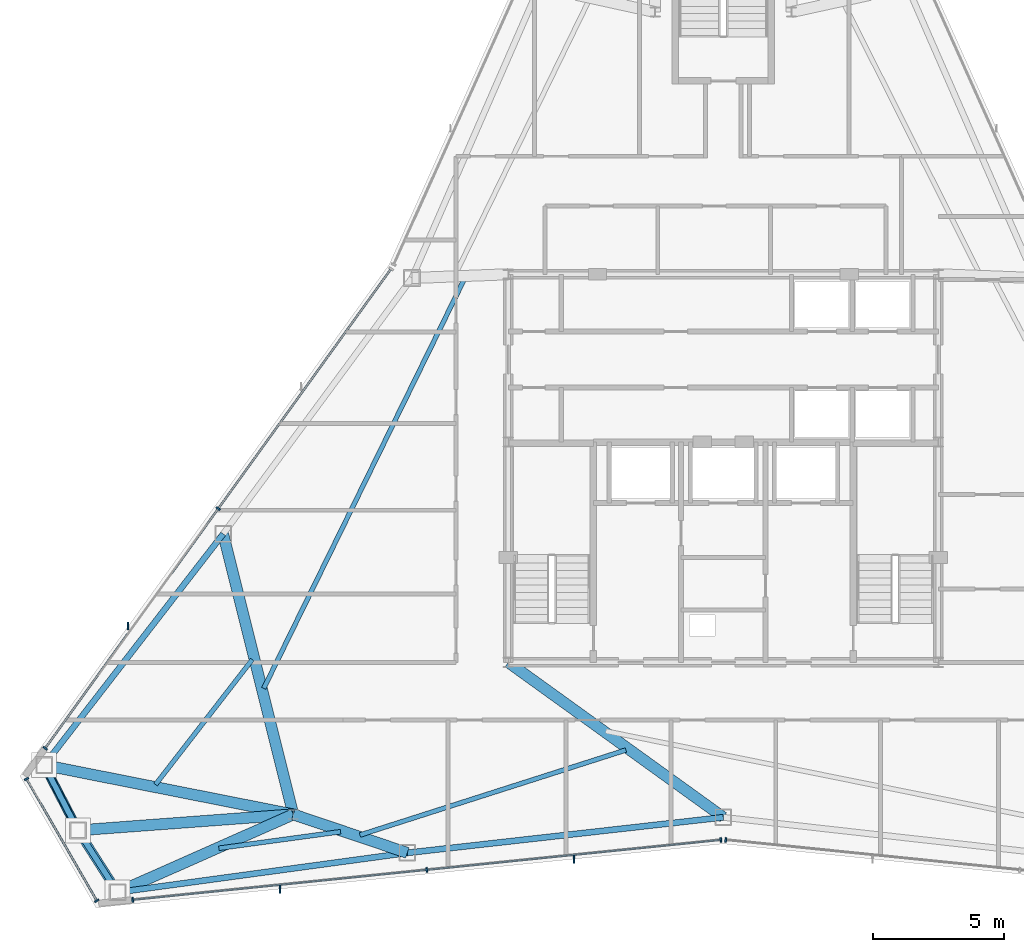
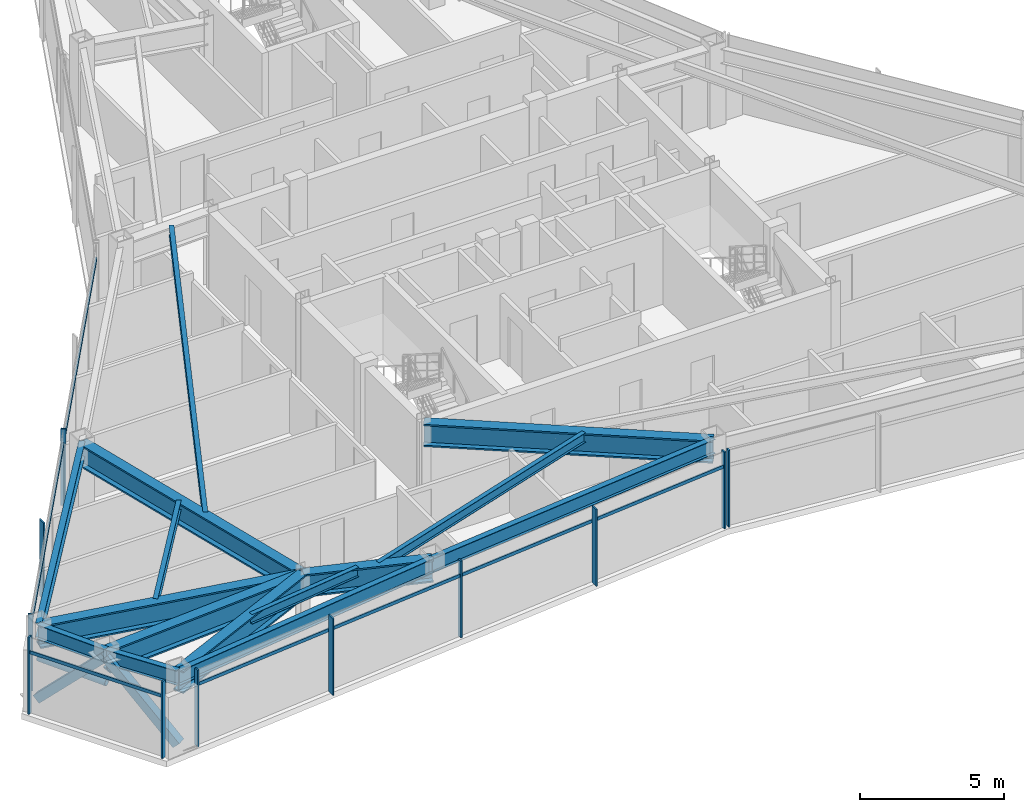
# One storey, part 3 of 12: 17 members, 15 beams, 4 elements without a shape of their own.
"""IFC4 building model written with IfcOpenShell, lengths in metres."""

from ifc_helpers import new_model, si_unit, direction, frame, origin, origin_2d, place, context, subcontext, project, spatial, rectangle, hollow_rectangle, hollow_circle, i_section, extrude, source, transform, mapped, material, layer, layer_set, material_profile, profile_set, type_object, type_shapes, element, aggregate, save


model = new_model("IFC4")

# Units and contexts
model_context = context("Model", 3, precision=1e-05, world=origin(), true_north=direction((0.0, 1.0)))
body_context = subcontext(model_context, "Body", "Model", "MODEL_VIEW")
ifc_project = project(units=[si_unit("LENGTHUNIT", "METRE"), si_unit("AREAUNIT", "SQUARE_METRE"), si_unit("VOLUMEUNIT", "CUBIC_METRE"), si_unit("PLANEANGLEUNIT", "RADIAN"), si_unit("MASSUNIT", "GRAM", prefix="KILO")], contexts=[model_context])

# Site, building, storey
site_placement = place(None, origin())
site = spatial("IfcSite", under=ifc_project, at=site_placement, CompositionType="ELEMENT")
building_placement = place(site_placement, origin())
building = spatial("IfcBuilding", under=site, at=building_placement, Name="Varakhsha Concourse Tower", CompositionType="ELEMENT")
storey_placement = place(building_placement, frame((0.0, 0.0, 255.0)))
storey = spatial("IfcBuildingStorey", under=building, at=storey_placement, Name="L72", CompositionType="ELEMENT", Elevation=255.0)

# Beams
ifc_material_1 = material(Name="Structural Steel ASTM A992 Grade 50", Category="steel")
ifc_material_profile_1 = material_profile(ifc_material_1, i_section(OverallWidth=0.177978515625, OverallDepth=0.406982421875, WebThickness=0.008056640625, FlangeThickness=0.012939453125, at=origin_2d()), Name="W16X40")
ifc_profile_set_1 = profile_set([ifc_material_profile_1], Name="Structural Steel ASTM A992 Grade 50")
beam_type_1 = type_object("IfcBeamType", Name="BM-JST-W16X40", PredefinedType="JOIST", material=ifc_profile_set_1)
beam_1_placement = place(storey_placement, frame((30.135009765625, 31.03759765625, 3.04638671875), z_axis=(-0.440148570634, -0.897924961101, 0.0), x_axis=(0.897924961101, -0.440148570634, 0.0)))
element("IfcBeam", 1, at=beam_1_placement, inside=storey, type_object=beam_type_1, Name="BM-TJST-L72-05", PredefinedType="JOIST", context=body_context, shape_type="SweptSolid", body=[
    extrude(i_section(OverallWidth=0.177978515625, OverallDepth=0.406982421875, WebThickness=0.008056640625, FlangeThickness=0.012939453125, at=origin_2d()), origin(), (0.0, 0.0, 1.0), 17.4091796875),
])
beam_2_placement = place(storey_placement, frame((22.035888671875, 16.50341796875, 3.04638671875), z_axis=(-0.612222230768, -0.790685740452, 0.0), x_axis=(0.790685740452, -0.612222230768, 0.0)))
element("IfcBeam", 2, at=beam_2_placement, inside=storey, type_object=beam_type_1, Name="BM-TJST-L72-06", PredefinedType="JOIST", context=body_context, shape_type="SweptSolid", body=[
    extrude(i_section(OverallWidth=0.177978515625, OverallDepth=0.406982421875, WebThickness=0.008056640625, FlangeThickness=0.012939453125, at=origin_2d()), origin(), (0.0, 0.0, 1.0), 6.024658203125),
])
beam_3_placement = place(storey_placement, frame((20.760986328125, 9.30810546875, 3.04638671875), z_axis=(0.990870382928, 0.134817967037, 0.0), x_axis=(-0.134817967037, 0.990870382928, 0.0)))
element("IfcBeam", 3, at=beam_3_placement, inside=storey, type_object=beam_type_1, Name="BM-TJST-L72-09", PredefinedType="JOIST", context=body_context, shape_type="SweptSolid", body=[
    extrude(i_section(OverallWidth=0.177978515625, OverallDepth=0.406982421875, WebThickness=0.008056640625, FlangeThickness=0.012939453125, at=origin_2d()), origin(), (0.0, 0.0, 1.0), 4.6865234375),
])
beam_4_placement = place(storey_placement, frame((26.140625, 9.8125, 3.04638671875), z_axis=(0.952511924863, 0.304501285701, 0.0), x_axis=(-0.304501285701, 0.952511924863, 0.0)))
element("IfcBeam", 4, at=beam_4_placement, inside=storey, type_object=beam_type_1, Name="BM-TJST-L72-10", PredefinedType="JOIST", context=body_context, shape_type="SweptSolid", body=[
    extrude(i_section(OverallWidth=0.177978515625, OverallDepth=0.406982421875, WebThickness=0.008056640625, FlangeThickness=0.012939453125, at=origin_2d()), origin(), (0.0, 0.0, 1.0), 10.65234375),
])
ifc_material_profile_2 = material_profile(ifc_material_1, i_section(OverallWidth=0.423095703125, OverallDepth=0.947998046875, WebThickness=0.0380859375, FlangeThickness=0.06396484375, at=origin_2d()), Name="W36X302")
ifc_profile_set_2 = profile_set([ifc_material_profile_2], Name="Structural Steel ASTM A992 Grade 50")
beam_type_2 = type_object("IfcBeamType", Name="BM-OUTR-W36X302", PredefinedType="USERDEFINED", material=ifc_profile_set_2)
beam_5_placement = place(storey_placement, frame((23.60009765625, 10.60009765625, 2.77587890625), z_axis=(-0.242410585861, 0.970173751378, 0.0), x_axis=(-0.970173751378, -0.242410585861, 0.0)))
element("IfcBeam", 5, at=beam_5_placement, inside=storey, type_object=beam_type_2, Name="L72 Radial Floor Girder 06", ObjectType="GIRDER", PredefinedType="USERDEFINED", context=body_context, shape_type="SweptSolid", body=[
    extrude(i_section(OverallWidth=0.423095703125, OverallDepth=0.947998046875, WebThickness=0.0380859375, FlangeThickness=0.06396484375, at=origin_2d()), origin(), (0.0, 0.0, 1.0), 11.026123046875),
])
beam_6_placement = place(storey_placement, frame((23.60009765625, 10.60009765625, 2.77587890625), z_axis=(-0.980978125566, 0.194118307125, 0.0), x_axis=(-0.194118307125, -0.980978125566, 0.0)))
element("IfcBeam", 6, at=beam_6_placement, inside=storey, type_object=beam_type_2, Name="L72 Radial Floor Girder 07", ObjectType="GIRDER", PredefinedType="USERDEFINED", context=body_context, shape_type="SweptSolid", body=[
    extrude(i_section(OverallWidth=0.423095703125, OverallDepth=0.947998046875, WebThickness=0.0380859375, FlangeThickness=0.06396484375, at=origin_2d()), origin(), (0.0, 0.0, 1.0), 9.684326171875),
])
beam_7_placement = place(storey_placement, frame((23.60009765625, 10.60009765625, 2.77587890625), z_axis=(-0.997263302263, -0.073931765569, 0.0), x_axis=(0.073931765569, -0.997263302263, 0.0)))
element("IfcBeam", 7, at=beam_7_placement, inside=storey, type_object=beam_type_2, Name="L72 Radial Floor Girder 08", ObjectType="GIRDER", PredefinedType="USERDEFINED", context=body_context, shape_type="SweptSolid", body=[
    extrude(i_section(OverallWidth=0.423095703125, OverallDepth=0.947998046875, WebThickness=0.0380859375, FlangeThickness=0.06396484375, at=origin_2d()), origin(), (0.0, 0.0, 1.0), 8.232421875),
])
beam_8_placement = place(storey_placement, frame((23.60009765625, 10.60009765625, 2.77587890625), z_axis=(-0.914187563748, -0.405291374556, 0.0), x_axis=(0.405291374556, -0.914187563748, 0.0)))
element("IfcBeam", 8, at=beam_8_placement, inside=storey, type_object=beam_type_2, Name="L72 Radial Floor Girder 09", ObjectType="GIRDER", PredefinedType="USERDEFINED", context=body_context, shape_type="SweptSolid", body=[
    extrude(i_section(OverallWidth=0.423095703125, OverallDepth=0.947998046875, WebThickness=0.0380859375, FlangeThickness=0.06396484375, at=origin_2d()), origin(), (0.0, 0.0, 1.0), 7.32861328125),
])
beam_9_placement = place(storey_placement, frame((23.60009765625, 10.60009765625, 2.77587890625), z_axis=(0.947603418082, -0.319449154075, 0.0), x_axis=(0.319449154075, 0.947603418082, 0.0)))
element("IfcBeam", 9, at=beam_9_placement, inside=storey, type_object=beam_type_2, Name="L72 Radial Floor Girder 10", ObjectType="GIRDER", PredefinedType="USERDEFINED", context=body_context, shape_type="SweptSolid", body=[
    extrude(i_section(OverallWidth=0.423095703125, OverallDepth=0.947998046875, WebThickness=0.0380859375, FlangeThickness=0.06396484375, at=origin_2d()), origin(), (0.0, 0.0, 1.0), 4.590087890625),
])
beam_10_placement = place(storey_placement, frame((31.800048828125, 16.39990234375, 2.77587890625), z_axis=(0.811197960411, -0.584771638356, 0.0), x_axis=(0.584771638356, 0.811197960411, 0.0)))
element("IfcBeam", 10, at=beam_10_placement, inside=storey, type_object=beam_type_2, Name="L72 Radial Floor Girder 11", ObjectType="GIRDER", PredefinedType="USERDEFINED", context=body_context, shape_type="SweptSolid", body=[
    extrude(i_section(OverallWidth=0.423095703125, OverallDepth=0.947998046875, WebThickness=0.0380859375, FlangeThickness=0.06396484375, at=origin_2d()), origin(), (0.0, 0.0, 1.0), 10.1083984375),
])
ifc_material_profile_3 = material_profile(ifc_material_1, i_section(OverallWidth=0.22900390625, OverallDepth=0.612060546875, WebThickness=0.011962890625, FlangeThickness=0.02001953125, at=origin_2d()), Name="W24X84")
ifc_profile_set_3 = profile_set([ifc_material_profile_3], Name="Structural Steel ASTM A992 Grade 50")
beam_type_3 = type_object("IfcBeamType", Name="BM-SPAN-W24X84", PredefinedType="SPANDREL", material=ifc_profile_set_3)
beam_11_placement = place(storey_placement, frame((20.92724609375, 21.29736328125, 2.944091796875), z_axis=(-0.612217348488, -0.790689520741, 0.0), x_axis=(0.790689520741, -0.612217348488, 0.0)))
element("IfcBeam", 11, at=beam_11_placement, inside=storey, type_object=beam_type_3, Name="BM-SPAN-L72-06", PredefinedType="SPANDREL", context=body_context, shape_type="SweptSolid", body=[
    extrude(i_section(OverallWidth=0.22900390625, OverallDepth=0.612060546875, WebThickness=0.011962890625, FlangeThickness=0.02001953125, at=origin_2d()), origin(), (0.0, 0.0, 1.0), 11.151611328125),
])
beam_12_placement = place(storey_placement, frame((14.10009765625, 12.47998046875, 2.944091796875), z_axis=(0.460230722474, -0.887799347877, 0.0), x_axis=(0.887799347877, 0.460230722474, 0.0)))
element("IfcBeam", 12, at=beam_12_placement, inside=storey, type_object=beam_type_3, Name="BM-SPAN-L72-07", PredefinedType="SPANDREL", context=body_context, shape_type="SweptSolid", body=[
    extrude(i_section(OverallWidth=0.22900390625, OverallDepth=0.612060546875, WebThickness=0.011962890625, FlangeThickness=0.02001953125, at=origin_2d()), origin(), (0.0, 0.0, 1.0), 2.802978515625),
])
beam_13_placement = place(storey_placement, frame((15.39013671875, 9.991455078125, 2.944091796875), z_axis=(0.538762033455, -0.842457993794, 0.0), x_axis=(0.842457993794, 0.538762033455, 0.0)))
element("IfcBeam", 13, at=beam_13_placement, inside=storey, type_object=beam_type_3, Name="BM-SPAN-L72-08", PredefinedType="SPANDREL", context=body_context, shape_type="SweptSolid", body=[
    extrude(i_section(OverallWidth=0.22900390625, OverallDepth=0.612060546875, WebThickness=0.011962890625, FlangeThickness=0.02001953125, at=origin_2d()), origin(), (0.0, 0.0, 1.0), 2.80322265625),
])
beam_14_placement = place(storey_placement, frame((16.900390625, 7.6298828125, 2.944091796875), z_axis=(0.990863976686, 0.134865042565, 0.0), x_axis=(-0.134865042565, 0.990863976686, 0.0)))
element("IfcBeam", 14, at=beam_14_placement, inside=storey, type_object=beam_type_3, Name="BM-SPAN-L72-09", PredefinedType="SPANDREL", context=body_context, shape_type="SweptSolid", body=[
    extrude(i_section(OverallWidth=0.22900390625, OverallDepth=0.612060546875, WebThickness=0.011962890625, FlangeThickness=0.02001953125, at=origin_2d()), origin(), (0.0, 0.0, 1.0), 11.151123046875),
])
beam_15_placement = place(storey_placement, frame((27.94970703125, 9.1337890625, 2.944091796875), z_axis=(0.993737521425, 0.11173960136, 0.0), x_axis=(-0.11173960136, 0.993737521425, 0.0)))
element("IfcBeam", 15, at=beam_15_placement, inside=storey, type_object=beam_type_3, Name="BM-SPAN-L72-10", PredefinedType="SPANDREL", context=body_context, shape_type="SweptSolid", body=[
    extrude(i_section(OverallWidth=0.22900390625, OverallDepth=0.612060546875, WebThickness=0.011962890625, FlangeThickness=0.02001953125, at=origin_2d()), origin(), (0.0, 0.0, 1.0), 12.126220703125),
])

# Members
ifc_material_2 = material(Name="Structural Steel ASTM A500 Grade C", Category="steel")
ifc_material_profile_4 = material_profile(ifc_material_2, hollow_rectangle(XDim=0.35009765625, YDim=0.35009765625, WallThickness=0.01611328125, at=origin_2d()), Name="HSS 350x350x16")
ifc_profile_set_4 = profile_set([ifc_material_profile_4], Name="Structural Steel ASTM A500 Grade C")
member_type_1 = type_object("IfcMemberType", Name="MB-TUBE-HSS350", PredefinedType="BRACE", material=ifc_profile_set_4)
shared_shape_1 = source(origin(), body_context, "Body", "SweptSolid", [
    extrude(hollow_rectangle(XDim=0.35009765625, YDim=0.35009765625, WallThickness=0.01611328125, at=origin_2d()), origin(), (0.0, 0.0, 1.0), 3.983154296875),
])
type_shapes(member_type_1, [shared_shape_1])
for number, where, z_axis, x_axis, name in (
    (16, (14.10009765625, 12.47998046875, 0.1201171875), (0.323879843478, -0.624774270359, 0.710463903436), (0.887799347877, 0.460230722474, 0.0), "L72 Wind-Corner Tube Brace B03"),
    (17, (16.900390625, 7.6298828125, 0.1201171875), (-0.37915630707, 0.592883763061, 0.710443057752), (-0.842457993794, -0.538762033455, 0.0), "L72 Wind-Corner Tube Brace B04"),
):
    element("IfcMember", number, at=place(storey_placement, frame(where, z_axis=z_axis, x_axis=x_axis)), inside=storey, type_object=member_type_1, Name=name, PredefinedType="BRACE", context=body_context, shape_type="MappedRepresentation", body=[
        mapped(shared_shape_1, transform((0.0, 0.0, 0.0), scale=1.0)),
    ])
ifc_material_profile_5 = material_profile(ifc_material_2, hollow_circle(Radius=0.136474609375, WallThickness=0.011962890625, at=origin_2d()), Name="CHS 273x12")
ifc_profile_set_5 = profile_set([ifc_material_profile_5], Name="Structural Steel ASTM A500 Grade C")
member_type_2 = type_object("IfcMemberType", Name="MB-WIND-CHS273", PredefinedType="COLLAR", material=ifc_profile_set_5)
shared_shape_2 = source(origin(), body_context, "Body", "SweptSolid", [
    extrude(hollow_circle(Radius=0.136474609375, WallThickness=0.011962890625, at=origin_2d()), origin(), (0.0, 0.0, 1.0), 2.802978515625),
])
type_shapes(member_type_2, [shared_shape_2])
member_1_placement = place(storey_placement, frame((14.10009765625, 12.47998046875, 1.800048828125), z_axis=(0.460230722474, -0.887799347877, 0.0), x_axis=(0.887799347877, 0.460230722474, 0.0)))
element("IfcMember", 18, at=member_1_placement, inside=storey, type_object=member_type_2, Name="L72 Wind-Corner Collar Tie 2", PredefinedType="COLLAR", context=body_context, shape_type="MappedRepresentation", body=[
    mapped(shared_shape_2, transform((0.0, 0.0, 0.0), scale=1.0)),
])

# Curtain wall, members
ifc_material_3 = material(Name="Anodised Bronze Architectural Aluminium AA 6063-T6", Category="aluminium")
ifc_layer = layer(ifc_material_3, 0.199951171875, Name="CW-SYS-05")
ifc_layer_set = layer_set([ifc_layer], Name="Anodised Bronze Architectural Aluminium AA 6063-T6")
curtain_wall_type = type_object("IfcCurtainWallType", Name="CW-SYS-05", PredefinedType="NOTDEFINED", material=ifc_layer_set)
curtain_wall_1_placement = place(storey_placement, origin())
curtain_wall_1 = element("IfcCurtainWall", 19, at=curtain_wall_1_placement, inside=storey, type_object=curtain_wall_type, Name="L72 Crystal Curtain Wall F3", PredefinedType="NOTDEFINED")
ifc_material_profile_6 = material_profile(ifc_material_3, rectangle(XDim=0.06494140625, YDim=0.179931640625, at=origin_2d()), Name="CWM-180X65")
ifc_profile_set_6 = profile_set([ifc_material_profile_6], Name="Anodised Bronze Architectural Aluminium AA 6063-T6")
member_type_3 = type_object("IfcMemberType", Name="CWM-180X65", PredefinedType="MULLION", material=ifc_profile_set_6)
shared_shape_3 = source(origin(), body_context, "Body", "SweptSolid", [
    extrude(rectangle(XDim=0.06494140625, YDim=0.179931640625, at=origin_2d()), origin(), (0.0, 0.0, 1.0), 3.25),
])
type_shapes(member_type_3, [shared_shape_3])
member_2_placement = place(storey_placement, frame((14.138671875, 13.120849609375, 0.0), z_axis=(0.0, 0.0, 1.0), x_axis=(0.585188389778, 0.81089737234, 0.0)))
member_2 = element("IfcMember", 20, at=member_2_placement, type_object=member_type_3, Name="CW-L72-F3 Mullion 00", PredefinedType="MULLION", context=body_context, shape_type="MappedRepresentation", body=[
    mapped(shared_shape_3, transform((0.0, 0.0, 0.0), scale=1.0)),
])
member_3_placement = place(storey_placement, frame((20.735595703125, 22.261962890625, 0.0), z_axis=(0.0, 0.0, 1.0), x_axis=(0.585188389778, 0.81089737234, 0.0)))
member_3 = element("IfcMember", 21, at=member_3_placement, type_object=member_type_3, Name="CW-L72-F3 Mullion 01", PredefinedType="MULLION", context=body_context, shape_type="MappedRepresentation", body=[
    mapped(shared_shape_3, transform((0.0, 0.0, 0.0), scale=1.0)),
])

curtain_wall_2_placement = place(storey_placement, origin())
curtain_wall_2 = element("IfcCurtainWall", 22, at=curtain_wall_2_placement, inside=storey, type_object=curtain_wall_type, Name="L72 Chamfer Curtain Wall F4", PredefinedType="NOTDEFINED")
member_4_placement = place(storey_placement, frame((16.106689453125, 7.310546875, 0.0), z_axis=(0.0, 0.0, 1.0), x_axis=(-0.5, 0.866025403784, 0.0)))
member_4 = element("IfcMember", 23, at=member_4_placement, type_object=member_type_3, Name="CW-L72-F4 Mullion 00", PredefinedType="MULLION", context=body_context, shape_type="MappedRepresentation", body=[
    mapped(shared_shape_3, transform((0.0, 0.0, 0.0), scale=1.0)),
])
member_5_placement = place(storey_placement, frame((13.426513671875, 11.952392578125, 0.0), z_axis=(0.0, 0.0, 1.0), x_axis=(-0.5, 0.866025403784, 0.0)))
member_5 = element("IfcMember", 24, at=member_5_placement, type_object=member_type_3, Name="CW-L72-F4 Mullion 01", PredefinedType="MULLION", context=body_context, shape_type="MappedRepresentation", body=[
    mapped(shared_shape_3, transform((0.0, 0.0, 0.0), scale=1.0)),
])

curtain_wall_3_placement = place(storey_placement, origin())
curtain_wall_3 = element("IfcCurtainWall", 25, at=curtain_wall_3_placement, inside=storey, type_object=curtain_wall_type, Name="L72 Crystal Curtain Wall F5", PredefinedType="NOTDEFINED")
member_6_placement = place(storey_placement, frame((39.904296875, 9.627685546875, 0.0), z_axis=(0.0, 0.0, 1.0), x_axis=(-0.994852272933, -0.101335852689, 0.0)))
member_6 = element("IfcMember", 26, at=member_6_placement, type_object=member_type_3, Name="CW-L72-F5 Mullion 00", PredefinedType="MULLION", context=body_context, shape_type="MappedRepresentation", body=[
    mapped(shared_shape_3, transform((0.0, 0.0, 0.0), scale=1.0)),
])
member_7_placement = place(storey_placement, frame((28.689208984375, 8.4853515625, 0.0), z_axis=(0.0, 0.0, 1.0), x_axis=(-0.994852272933, -0.101335852689, 0.0)))
member_7 = element("IfcMember", 27, at=member_7_placement, type_object=member_type_3, Name="CW-L72-F5 Mullion 01", PredefinedType="MULLION", context=body_context, shape_type="MappedRepresentation", body=[
    mapped(shared_shape_3, transform((0.0, 0.0, 0.0), scale=1.0)),
])
member_8_placement = place(storey_placement, frame((17.474609375, 7.343017578125, 0.0), z_axis=(0.0, 0.0, 1.0), x_axis=(-0.994852272933, -0.101335852689, 0.0)))
member_8 = element("IfcMember", 28, at=member_8_placement, type_object=member_type_3, Name="CW-L72-F5 Mullion 02", PredefinedType="MULLION", context=body_context, shape_type="MappedRepresentation", body=[
    mapped(shared_shape_3, transform((0.0, 0.0, 0.0), scale=1.0)),
])

# Curtain wall, member
curtain_wall_4_placement = place(storey_placement, origin())
curtain_wall_4 = element("IfcCurtainWall", 29, at=curtain_wall_4_placement, inside=storey, type_object=curtain_wall_type, Name="L72 Crystal Curtain Wall F6", PredefinedType="NOTDEFINED")
member_9_placement = place(storey_placement, frame((40.095703125, 9.627685546875, 0.0), z_axis=(0.0, 0.0, 1.0), x_axis=(-0.994852272933, 0.101335852689, 0.0)))
member_9 = element("IfcMember", 30, at=member_9_placement, type_object=member_type_3, Name="CW-L72-F6 Mullion 02", PredefinedType="MULLION", context=body_context, shape_type="MappedRepresentation", body=[
    mapped(shared_shape_3, transform((0.0, 0.0, 0.0), scale=1.0)),
])
aggregate(curtain_wall_4, [member_9])

# Member
ifc_material_profile_7 = material_profile(ifc_material_3, rectangle(XDim=0.054931640625, YDim=0.300048828125, at=origin_2d()), Name="FIN-BRZ-300")
ifc_profile_set_7 = profile_set([ifc_material_profile_7], Name="Anodised Bronze Architectural Aluminium AA 6063-T6")
member_type_4 = type_object("IfcMemberType", Name="FIN-BRZ-300", PredefinedType="USERDEFINED", material=ifc_profile_set_7)
shared_shape_4 = source(origin(), body_context, "Body", "SweptSolid", [
    extrude(rectangle(XDim=0.054931640625, YDim=0.300048828125, at=origin_2d()), origin(), (0.0, 0.0, 1.0), 3.25),
])
type_shapes(member_type_4, [shared_shape_4])
member_10_placement = place(storey_placement, frame((17.30322265625, 17.787841796875, 0.0), z_axis=(0.0, 0.0, 1.0), x_axis=(1.0, 0.0, 0.0)))
member_10 = element("IfcMember", 31, at=member_10_placement, type_object=member_type_4, Name="L72 Anodised Bronze Solar Fin F3-1", ObjectType="SOLAR FIN", PredefinedType="USERDEFINED", context=body_context, shape_type="MappedRepresentation", body=[
    mapped(shared_shape_4, transform((0.0, 0.0, 0.0), scale=1.0)),
])

member_11_placement = place(storey_placement, frame((34.3134765625, 8.892578125, 0.0), z_axis=(0.0, 0.0, 1.0), x_axis=(1.0, 0.0, 0.0)))
member_11 = element("IfcMember", 32, at=member_11_placement, type_object=member_type_4, Name="L72 Anodised Bronze Solar Fin F5-1", ObjectType="SOLAR FIN", PredefinedType="USERDEFINED", context=body_context, shape_type="MappedRepresentation", body=[
    mapped(shared_shape_4, transform((0.0, 0.0, 0.0), scale=1.0)),
])

member_12_placement = place(storey_placement, frame((23.0986328125, 7.75, 0.0), z_axis=(0.0, 0.0, 1.0), x_axis=(1.0, 0.0, 0.0)))
member_12 = element("IfcMember", 33, at=member_12_placement, type_object=member_type_4, Name="L72 Anodised Bronze Solar Fin F5-2", ObjectType="SOLAR FIN", PredefinedType="USERDEFINED", context=body_context, shape_type="MappedRepresentation", body=[
    mapped(shared_shape_4, transform((0.0, 0.0, 0.0), scale=1.0)),
])

ifc_material_profile_8 = material_profile(ifc_material_3, rectangle(XDim=0.06005859375, YDim=0.139892578125, at=origin_2d()), Name="CWT-140X60")
ifc_profile_set_8 = profile_set([ifc_material_profile_8], Name="Anodised Bronze Architectural Aluminium AA 6063-T6")
member_type_5 = type_object("IfcMemberType", Name="CWT-140X60", PredefinedType="USERDEFINED", material=ifc_profile_set_8)
shared_shape_5 = source(origin(), body_context, "Body", "SweptSolid", [
    extrude(rectangle(XDim=0.06005859375, YDim=0.139892578125, at=origin_2d()), origin(), (0.0, 0.0, 1.0), 5.360107421875),
])
member_13_placement = place(storey_placement, frame((16.106689453125, 7.310546875, 2.60009765625), z_axis=(-0.500028672299, 0.866008849192, 0.0), x_axis=(-0.866008849192, -0.500028672299, 0.0)))
member_13 = element("IfcMember", 34, at=member_13_placement, type_object=member_type_5, Name="CW-L72-F4 Transom 01", ObjectType="TRANSOM", PredefinedType="USERDEFINED", context=body_context, shape_type="MappedRepresentation", body=[
    mapped(shared_shape_5, transform((0.0, 0.0, 0.0), scale=1.0)),
])

aggregate(curtain_wall_2, [member_4, member_5, member_13])

shared_shape_6 = source(origin(), body_context, "Body", "SweptSolid", [
    extrude(rectangle(XDim=0.06005859375, YDim=0.139892578125, at=origin_2d()), origin(), (0.0, 0.0, 1.0), 22.545654296875),
])
type_shapes(member_type_5, [shared_shape_5, shared_shape_6])
member_14_placement = place(storey_placement, frame((14.138671875, 13.120849609375, 2.60009765625), z_axis=(0.585192407215, 0.810894473121, 0.0), x_axis=(-0.810894473121, 0.585192407215, 0.0)))
member_14 = element("IfcMember", 35, at=member_14_placement, type_object=member_type_5, Name="CW-L72-F3 Transom 01", ObjectType="TRANSOM", PredefinedType="USERDEFINED", context=body_context, shape_type="MappedRepresentation", body=[
    mapped(shared_shape_6, transform((0.0, 0.0, 0.0), scale=1.0)),
])

aggregate(curtain_wall_1, [member_2, member_3, member_14, member_10])

member_15_placement = place(storey_placement, frame((39.904296875, 9.627685546875, 2.60009765625), z_axis=(-0.994852382543, -0.1013347766, 0.0), x_axis=(0.1013347766, -0.994852382543, 0.0)))
member_15 = element("IfcMember", 36, at=member_15_placement, type_object=member_type_5, Name="CW-L72-F5 Transom 01", ObjectType="TRANSOM", PredefinedType="USERDEFINED", context=body_context, shape_type="MappedRepresentation", body=[
    mapped(shared_shape_6, transform((0.0, 0.0, 0.0), scale=1.0)),
])

aggregate(curtain_wall_3, [member_6, member_7, member_8, member_15, member_11, member_12])

save(model, "model.ifc")
